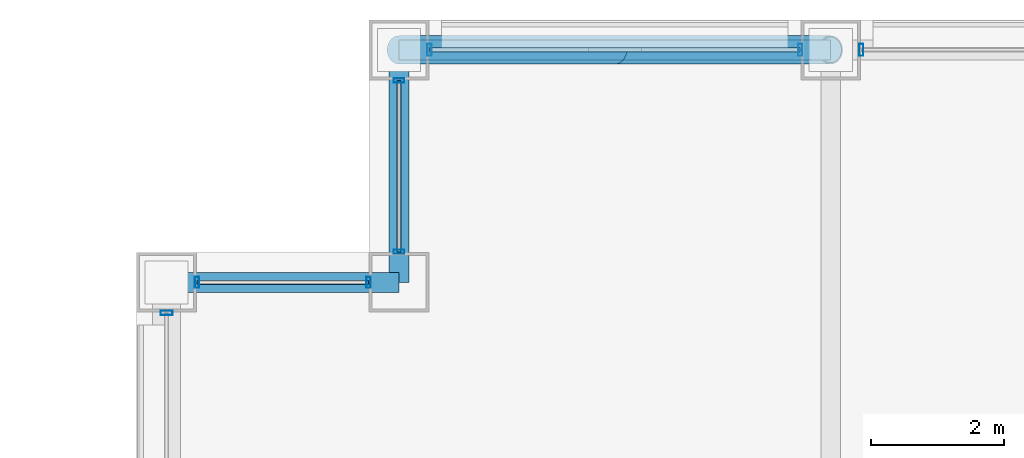
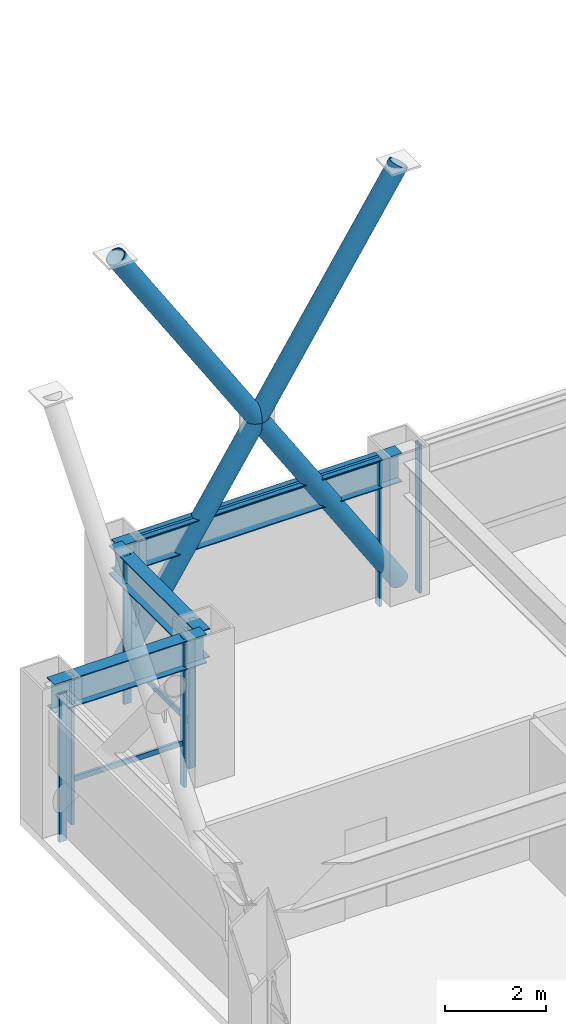
# One storey, part 16 of 30: 14 members, 3 beams, 5 elements without a shape of their own.
"""IFC4 building model written with IfcOpenShell, lengths in metres."""

import ifcopenshell
import ifcopenshell.guid

model = None  # the IFC model being written
_history = None  # IfcOwnerHistory: only IFC2X3 demands one
_inside = {}  # id of a spatial element -> (the spatial element, [elements in it])
_under = {}  # id of a project, library or spatial element -> (it, [spatial elements below it])
_declared = {}  # id of a project -> (the project, [libraries it declares])
_typed = {}  # id of a type object -> (the type object, [elements of that type])
_made_of = {}  # id of a material, layer set ... -> (it, [elements and type objects made of it])


def new_model(schema):
    """Start an empty IFC model of exactly this schema.

    Asked for "IFC4X3", IfcOpenShell would pick the latest addendum, in which some entities
    have other attributes; the version numbers below select the first issue.
    IFC2X3 requires an IfcOwnerHistory on every rooted entity: one is made here for all.
    """
    global model, _history
    if schema == "IFC4X3":
        model = ifcopenshell.file(schema_version=(4, 3, 0, 0))
    else:
        model = ifcopenshell.file(schema=schema)
    _inside.clear()
    _under.clear()
    _declared.clear()
    _typed.clear()
    _made_of.clear()
    _history = None
    if model.schema == "IFC2X3":
        org = make("IfcOrganization", Name="unknown")
        user = make(
            "IfcPersonAndOrganization",
            ThePerson=make("IfcPerson", FamilyName="unknown"),
            TheOrganization=org,
        )
        app = make(
            "IfcApplication",
            ApplicationDeveloper=org,
            Version="unknown",
            ApplicationFullName="unknown",
            ApplicationIdentifier="unknown",
        )
        _history = make(
            "IfcOwnerHistory",
            OwningUser=user,
            OwningApplication=app,
            ChangeAction="ADDED",
            CreationDate=0,
        )
    return model


def make(cls, **values):
    """One entity of the class cls with the attributes given. An attribute that is None is left unset."""
    return model.create_entity(
        cls, **{name: value for name, value in values.items() if value is not None}
    )


def rooted(cls, **values):
    """An entity with a GlobalId (a new one), such as an element, a storey or a relation."""
    return make(cls, GlobalId=ifcopenshell.guid.new(), OwnerHistory=_history, **values)


def si_unit(unit_type, name, prefix=None):
    """IfcSIUnit, for example si_unit("LENGTHUNIT", "METRE", prefix="MILLI")."""
    return make("IfcSIUnit", UnitType=unit_type, Prefix=prefix, Name=name)


def assignment(units):
    """IfcUnitAssignment: the units of a project."""
    return None if units is None else make("IfcUnitAssignment", Units=units)


def point(xyz):
    """IfcCartesianPoint."""
    return None if xyz is None else make("IfcCartesianPoint", Coordinates=xyz)


def direction(xyz):
    """IfcDirection."""
    return None if xyz is None else make("IfcDirection", DirectionRatios=xyz)


def frame(location, z_axis=None, x_axis=None):
    """IfcAxis2Placement3D, a coordinate frame: its origin and axes. An axis left out is left unset."""
    return make(
        "IfcAxis2Placement3D",
        Location=point(location),
        Axis=direction(z_axis),
        RefDirection=direction(x_axis),
    )


def frame_2d(location, x_axis=None):
    """IfcAxis2Placement2D, a coordinate frame in the plane: its origin and x axis."""
    return make(
        "IfcAxis2Placement2D", Location=point(location), RefDirection=direction(x_axis)
    )


def origin():
    """The frame at (0, 0, 0) with its axes left unset."""
    return frame((0.0, 0.0, 0.0))


def origin_2d():
    """The frame at (0, 0) in the plane with its x axis left unset."""
    return frame_2d((0.0, 0.0))


def place(relative_to, where):
    """IfcLocalPlacement: puts the frame where relative to a parent placement (None: the world)."""
    return make(
        "IfcLocalPlacement", PlacementRelTo=relative_to, RelativePlacement=where
    )


def context(
    kind, dimensions, precision=None, world=None, true_north=None, identifier=None
):
    """IfcGeometricRepresentationContext, for example the 3D "Model" context."""
    return make(
        "IfcGeometricRepresentationContext",
        ContextIdentifier=identifier,
        ContextType=kind,
        CoordinateSpaceDimension=dimensions,
        Precision=precision,
        WorldCoordinateSystem=world,
        TrueNorth=true_north,
    )


def subcontext(parent, identifier, kind, view, scale=None):
    """IfcGeometricRepresentationSubContext, for example "Body" below "Model"."""
    return make(
        "IfcGeometricRepresentationSubContext",
        ContextIdentifier=identifier,
        ContextType=kind,
        ParentContext=parent,
        TargetScale=scale,
        TargetView=view,
    )


def project(units=None, contexts=None):
    """IfcProject with its units and contexts."""
    return rooted(
        "IfcProject",
        Name="project",
        RepresentationContexts=contexts,
        UnitsInContext=assignment(units),
    )


def spatial(cls, under=None, at=None, **own):
    """A site, building, storey or space (cls), placed at a placement, below another one or the project."""
    s = rooted(cls, ObjectPlacement=at, **own)
    if under is not None:
        _under.setdefault(under.id(), (under, []))[1].append(s)
    return s


def profile(cls, at=None, kind="AREA", **sizes):
    """A parametric profile (cls). Its sizes go by their IFC names, for example OverallWidth=200.0."""
    return make(cls, ProfileType=kind, Position=at, **sizes)


def hollow_rectangle(**sizes):
    """IfcRectangleHollowProfileDef."""
    return profile("IfcRectangleHollowProfileDef", **sizes)


def hollow_circle(**sizes):
    """IfcCircleHollowProfileDef."""
    return profile("IfcCircleHollowProfileDef", **sizes)


def i_section(**sizes):
    """IfcIShapeProfileDef."""
    return profile("IfcIShapeProfileDef", **sizes)


def extrude(swept, where, along, depth):
    """IfcExtrudedAreaSolid: the profile swept, set in the frame where, extruded along a direction by depth."""
    return make(
        "IfcExtrudedAreaSolid",
        SweptArea=swept,
        Position=where,
        ExtrudedDirection=direction(along),
        Depth=depth,
    )


def shape(context_of_items, identifier, shape_type, items):
    """IfcShapeRepresentation: the items that make up one representation, for example the "Body"."""
    return make(
        "IfcShapeRepresentation",
        ContextOfItems=context_of_items,
        RepresentationIdentifier=identifier,
        RepresentationType=shape_type,
        Items=items,
    )


def material(Name=None, Category=None):
    """IfcMaterial."""
    return make("IfcMaterial", Name=Name, Category=Category)


def layer(
    of_material, thickness, ventilated=None, Name=None, Category=None, Priority=None
):
    """IfcMaterialLayer: one layer of a wall or slab, of a material (None: an air gap)."""
    return make(
        "IfcMaterialLayer",
        Material=of_material,
        LayerThickness=thickness,
        IsVentilated=ventilated,
        Name=Name,
        Category=Category,
        Priority=Priority,
    )


def layer_set(layers, Name=None):
    """IfcMaterialLayerSet."""
    return make("IfcMaterialLayerSet", MaterialLayers=layers, LayerSetName=Name)


def material_profile(
    of_material, cross_section, Name=None, Category=None, Priority=None
):
    """IfcMaterialProfile: a cross section and its material."""
    return make(
        "IfcMaterialProfile",
        Name=Name,
        Material=of_material,
        Profile=cross_section,
        Priority=Priority,
        Category=Category,
    )


def profile_set(profiles, Name=None, composite=None):
    """IfcMaterialProfileSet."""
    return make(
        "IfcMaterialProfileSet",
        Name=Name,
        MaterialProfiles=profiles,
        CompositeProfile=composite,
    )


def made_of(thing, what):
    """Note that an element or type object is made of a material, layer set ...; save() writes the relation."""
    if what is not None:
        _made_of.setdefault(what.id(), (what, []))[1].append(thing)
    return thing


def type_object(cls, material=None, **own):
    """A type object (cls), such as IfcWallType, which elements share."""
    return made_of(rooted(cls, **own), material)


def element(
    cls,
    number,
    at=None,
    inside=None,
    cuts=None,
    type_object=None,
    material=None,
    context=None,
    identifier="Body",
    shape_type=None,
    held_by="IfcProductDefinitionShape",
    body=None,
    shapes=None,
    **own,
):
    """One element of the class cls, such as IfcWall. Its Tag is "e" and its number.

    at: its placement. inside: the storey or other place that contains it. cuts: it is an
    opening in that element (IfcRelVoidsElement). A single representation is given by context,
    identifier, shape_type and body (its items); several are given by shapes. held_by: the class
    of the entity that holds the representations. save() writes the other relations.
    """
    e = rooted(cls, Tag="e%d" % number, ObjectPlacement=at, **own)
    if body is not None:
        shapes = [shape(context, identifier, shape_type, body)]
    if shapes is not None:
        e.Representation = make(held_by, Representations=shapes)
    if inside is not None:
        _inside.setdefault(inside.id(), (inside, []))[1].append(e)
    if cuts is not None:
        rooted(
            "IfcRelVoidsElement", RelatingBuildingElement=cuts, RelatedOpeningElement=e
        )
    if type_object is not None:
        _typed.setdefault(type_object.id(), (type_object, []))[1].append(e)
    return made_of(e, material)


def aggregate(whole, parts):
    """IfcRelAggregates: a whole, such as a stair, and the parts it consists of."""
    return rooted("IfcRelAggregates", RelatingObject=whole, RelatedObjects=parts)


def save(model, path):
    """Write the relations noted so far, then the file.

    IfcRelAggregates (storeys below a building ...), IfcRelContainedInSpatialStructure (elements
    in a storey), IfcRelDefinesByType, IfcRelAssociatesMaterial and IfcRelDeclares: one each for
    every whole, place, type object, material and project.
    """
    for whole, parts in _under.values():
        aggregate(whole, parts)
    for where, things in _inside.values():
        rooted(
            "IfcRelContainedInSpatialStructure",
            RelatedElements=things,
            RelatingStructure=where,
        )
    for kind, things in _typed.values():
        rooted("IfcRelDefinesByType", RelatedObjects=things, RelatingType=kind)
    for what, things in _made_of.values():
        rooted("IfcRelAssociatesMaterial", RelatedObjects=things, RelatingMaterial=what)
    for by, libraries in _declared.values():
        rooted("IfcRelDeclares", RelatingContext=by, RelatedDefinitions=libraries)
    model.write(path)


model = new_model("IFC4")

# Units and contexts
model_context = context("Model", 3, precision=1e-05, world=origin(), true_north=direction((0.0, 1.0)))
body_context = subcontext(model_context, "Body", "Model", "MODEL_VIEW")
ifc_project = project(units=[si_unit("LENGTHUNIT", "METRE"), si_unit("AREAUNIT", "SQUARE_METRE"), si_unit("VOLUMEUNIT", "CUBIC_METRE"), si_unit("PLANEANGLEUNIT", "RADIAN"), si_unit("MASSUNIT", "GRAM", prefix="KILO")], contexts=[model_context])

# Site, building, storey
site_placement = place(None, origin())
site = spatial("IfcSite", under=ifc_project, at=site_placement, CompositionType="ELEMENT")
building_placement = place(site_placement, origin())
building = spatial("IfcBuilding", under=site, at=building_placement, Name="Brelmoor Portico Tower", CompositionType="ELEMENT")
storey_placement = place(building_placement, frame((0.0, 0.0, 56.39990234375)))
storey = spatial("IfcBuildingStorey", under=building, at=storey_placement, Name="L14", CompositionType="ELEMENT", Elevation=56.39990234375)

# Beams
ifc_material_1 = material(Name="Steel Q355B", Category="steel")
ifc_material_profile_1 = material_profile(ifc_material_1, i_section(OverallWidth=0.300048828125, OverallDepth=0.699951171875, WebThickness=0.012939453125, FlangeThickness=0.02392578125, at=origin_2d()), Name="HN 700x300x13x24")
ifc_profile_set_1 = profile_set([ifc_material_profile_1], Name="Steel Q355B")
beam_type = type_object("IfcBeamType", Name="BM-SP-700", PredefinedType="SPANDREL", material=ifc_profile_set_1)
beam_1_placement = place(storey_placement, frame((-24.550048828125, 18.050048828125, 3.050048828125), z_axis=(1.0, 0.0, 0.0), x_axis=(0.0, 1.0, 0.0)))
element("IfcBeam", 1, at=beam_1_placement, inside=storey, type_object=beam_type, Name="L14 Perimeter Spandrel Beam SP-08", PredefinedType="SPANDREL", context=body_context, shape_type="SweptSolid", body=[
    extrude(i_section(OverallWidth=0.300048828125, OverallDepth=0.699951171875, WebThickness=0.012939453125, FlangeThickness=0.02392578125, at=origin_2d()), origin(), (0.0, 0.0, 1.0), 3.5),
])
beam_2_placement = place(storey_placement, frame((-21.050048828125, 21.550048828125, 3.050048828125), z_axis=(1.0, 0.0, 0.0), x_axis=(0.0, 1.0, 0.0)))
element("IfcBeam", 2, at=beam_2_placement, inside=storey, type_object=beam_type, Name="L14 Perimeter Spandrel Beam SP-10", PredefinedType="SPANDREL", context=body_context, shape_type="SweptSolid", body=[
    extrude(i_section(OverallWidth=0.300048828125, OverallDepth=0.699951171875, WebThickness=0.012939453125, FlangeThickness=0.02392578125, at=origin_2d()), origin(), (0.0, 0.0, 1.0), 6.5),
])
beam_3_placement = place(storey_placement, frame((-21.050048828125, 18.050048828125, 3.050048828125), z_axis=(0.0, 1.0, 0.0), x_axis=(-1.0, 0.0, 0.0)))
element("IfcBeam", 3, at=beam_3_placement, inside=storey, type_object=beam_type, Name="L14 Perimeter Spandrel Beam SP-19", PredefinedType="SPANDREL", context=body_context, shape_type="SweptSolid", body=[
    extrude(i_section(OverallWidth=0.300048828125, OverallDepth=0.699951171875, WebThickness=0.012939453125, FlangeThickness=0.02392578125, at=origin_2d()), origin(), (0.0, 0.0, 1.0), 3.5),
])

# Members
ifc_material_profile_2 = material_profile(ifc_material_1, hollow_circle(Radius=0.212890625, WallThickness=0.02001953125, at=origin_2d()), Name="CHS 426x20")
ifc_profile_set_2 = profile_set([ifc_material_profile_2], Name="Steel Q355B")
member_type_1 = type_object("IfcMemberType", Name="MB-BELT-DIAG1", PredefinedType="BRACE", material=ifc_profile_set_2)
member_1_placement = place(storey_placement, frame((-21.050048828125, 21.550048828125, 0.25), z_axis=(0.541174623135, 0.0, 0.840910237347), x_axis=(0.0, 1.0, 0.0)))
element("IfcMember", 4, at=member_1_placement, inside=storey, type_object=member_type_1, Name="L14 Continuous Mega-X Brace 027A", PredefinedType="BRACE", context=body_context, shape_type="SweptSolid", body=[
    extrude(hollow_circle(Radius=0.212890625, WallThickness=0.02001953125, at=origin_2d()), origin(), (0.0, 0.0, 1.0), 12.010986328125),
])
for number, where, z_axis, x_axis, name in (
    (5, (-14.550048828125, 21.550048828125, 0.25), (-0.541174623135, 0.0, 0.840910237347), (0.0, -1.0, 0.0), "L14 Split Mega-X Brace 027B1"),
    (6, (-17.800048828125, 21.550048828125, 5.300048828125), (-0.541174623135, 0.0, 0.840910237347), (0.0, -1.0, 0.0), "L14 Split Mega-X Brace 027B2"),
):
    element("IfcMember", number, at=place(storey_placement, frame(where, z_axis=z_axis, x_axis=x_axis)), inside=storey, type_object=member_type_1, Name=name, PredefinedType="BRACE", context=body_context, shape_type="SweptSolid", body=[
        extrude(hollow_circle(Radius=0.212890625, WallThickness=0.02001953125, at=origin_2d()), origin(), (0.0, 0.0, 1.0), 6.00537109375),
    ])

# Curtain wall, members
ifc_material_2 = material(Name="Anodised Aluminium Alloy 6063-T6", Category="aluminium")
ifc_layer_1 = layer(ifc_material_2, 0.179931640625)
ifc_layer_set_1 = layer_set([ifc_layer_1], Name="Anodised Aluminium Alloy 6063-T6")
curtain_wall_type_1 = type_object("IfcCurtainWallType", Name="CW-NOTCH-CHAMFER", PredefinedType="NOTDEFINED", material=ifc_layer_set_1)
curtain_wall_1_placement = place(storey_placement, origin())
curtain_wall_1 = element("IfcCurtainWall", 7, at=curtain_wall_1_placement, inside=storey, type_object=curtain_wall_type_1, Name="L14 Curtain Wall CWN-L14-NWH", PredefinedType="NOTDEFINED")
ifc_material_profile_3 = material_profile(ifc_material_2, hollow_rectangle(XDim=0.06494140625, YDim=0.1650390625, WallThickness=0.00390625, at=origin_2d()), Name="ALU MULLION 65x165")
ifc_profile_set_3 = profile_set([ifc_material_profile_3], Name="Anodised Aluminium Alloy 6063-T6")
member_type_2 = type_object("IfcMemberType", Name="MB-CW-MULL-165", PredefinedType="MULLION", material=ifc_profile_set_3)
member_2_placement = place(storey_placement, frame((-24.090087890625, 18.050048828125, -0.199951171875), z_axis=(0.0, 0.0, 1.0), x_axis=(1.0, 0.0, 0.0)))
member_2 = element("IfcMember", 8, at=member_2_placement, type_object=member_type_2, Name="CWN-L14-NWH Mullion 00", PredefinedType="MULLION", context=body_context, shape_type="SweptSolid", body=[
    extrude(hollow_rectangle(XDim=0.06494140625, YDim=0.1650390625, WallThickness=0.00390625, at=origin_2d()), origin(), (0.0, 0.0, 1.0), 3.60009765625),
])
member_3_placement = place(storey_placement, frame((-21.510009765625, 18.050048828125, -0.199951171875), z_axis=(0.0, 0.0, 1.0), x_axis=(1.0, 0.0, 0.0)))
member_3 = element("IfcMember", 9, at=member_3_placement, type_object=member_type_2, Name="CWN-L14-NWH Mullion 01", PredefinedType="MULLION", context=body_context, shape_type="SweptSolid", body=[
    extrude(hollow_rectangle(XDim=0.06494140625, YDim=0.1650390625, WallThickness=0.00390625, at=origin_2d()), origin(), (0.0, 0.0, 1.0), 3.60009765625),
])

curtain_wall_2_placement = place(storey_placement, origin())
curtain_wall_2 = element("IfcCurtainWall", 10, at=curtain_wall_2_placement, inside=storey, type_object=curtain_wall_type_1, Name="L14 Curtain Wall CWN-L14-NWV", PredefinedType="NOTDEFINED")
member_4_placement = place(storey_placement, frame((-21.050048828125, 18.510009765625, -0.199951171875), z_axis=(0.0, 0.0, 1.0), x_axis=(0.0, 1.0, 0.0)))
member_4 = element("IfcMember", 11, at=member_4_placement, type_object=member_type_2, Name="CWN-L14-NWV Mullion 00", PredefinedType="MULLION", context=body_context, shape_type="SweptSolid", body=[
    extrude(hollow_rectangle(XDim=0.06494140625, YDim=0.1650390625, WallThickness=0.00390625, at=origin_2d()), origin(), (0.0, 0.0, 1.0), 3.60009765625),
])
member_5_placement = place(storey_placement, frame((-21.050048828125, 21.090087890625, -0.199951171875), z_axis=(0.0, 0.0, 1.0), x_axis=(0.0, 1.0, 0.0)))
member_5 = element("IfcMember", 12, at=member_5_placement, type_object=member_type_2, Name="CWN-L14-NWV Mullion 01", PredefinedType="MULLION", context=body_context, shape_type="SweptSolid", body=[
    extrude(hollow_rectangle(XDim=0.06494140625, YDim=0.1650390625, WallThickness=0.00390625, at=origin_2d()), origin(), (0.0, 0.0, 1.0), 3.60009765625),
])

ifc_layer_2 = layer(ifc_material_2, 0.179931640625)
ifc_layer_set_2 = layer_set([ifc_layer_2], Name="Anodised Aluminium Alloy 6063-T6")
curtain_wall_type_2 = type_object("IfcCurtainWallType", Name="CW-TOWER-Z1-XB", PredefinedType="NOTDEFINED", material=ifc_layer_set_2)
curtain_wall_3_placement = place(storey_placement, origin())
curtain_wall_3 = element("IfcCurtainWall", 13, at=curtain_wall_3_placement, inside=storey, type_object=curtain_wall_type_2, Name="L14 Curtain Wall CW-L14-02-1", PredefinedType="NOTDEFINED")
ifc_material_profile_4 = material_profile(ifc_material_2, hollow_rectangle(XDim=0.06494140625, YDim=0.179931640625, WallThickness=0.00390625, at=origin_2d()), Name="ALU MULLION 65x180")
ifc_profile_set_4 = profile_set([ifc_material_profile_4], Name="Anodised Aluminium Alloy 6063-T6")
member_type_3 = type_object("IfcMemberType", Name="MB-CW-MULL-180", PredefinedType="MULLION", material=ifc_profile_set_4)
member_6_placement = place(storey_placement, frame((-20.590087890625, 21.550048828125, -0.199951171875), z_axis=(0.0, 0.0, 1.0), x_axis=(1.0, 0.0, 0.0)))
member_6 = element("IfcMember", 14, at=member_6_placement, type_object=member_type_3, Name="CW-L14-02-1 Mullion 00", PredefinedType="MULLION", context=body_context, shape_type="SweptSolid", body=[
    extrude(hollow_rectangle(XDim=0.06494140625, YDim=0.179931640625, WallThickness=0.00390625, at=origin_2d()), origin(), (0.0, 0.0, 1.0), 3.60009765625),
])
member_7_placement = place(storey_placement, frame((-15.010009765625, 21.550048828125, -0.199951171875), z_axis=(0.0, 0.0, 1.0), x_axis=(1.0, 0.0, 0.0)))
member_7 = element("IfcMember", 15, at=member_7_placement, type_object=member_type_3, Name="CW-L14-02-1 Mullion 01", PredefinedType="MULLION", context=body_context, shape_type="SweptSolid", body=[
    extrude(hollow_rectangle(XDim=0.06494140625, YDim=0.179931640625, WallThickness=0.00390625, at=origin_2d()), origin(), (0.0, 0.0, 1.0), 3.60009765625),
])

# Curtain wall, member
ifc_layer_3 = layer(ifc_material_2, 0.179931640625)
ifc_layer_set_3 = layer_set([ifc_layer_3], Name="Anodised Aluminium Alloy 6063-T6")
curtain_wall_type_3 = type_object("IfcCurtainWallType", Name="CW-TOWER-Z1", PredefinedType="NOTDEFINED", material=ifc_layer_set_3)
curtain_wall_4_placement = place(storey_placement, origin())
curtain_wall_4 = element("IfcCurtainWall", 16, at=curtain_wall_4_placement, inside=storey, type_object=curtain_wall_type_3, Name="L14 Curtain Wall CW-L14-02-2", PredefinedType="NOTDEFINED")
member_8_placement = place(storey_placement, frame((-14.090087890625, 21.550048828125, -0.199951171875), z_axis=(0.0, 0.0, 1.0), x_axis=(1.0, 0.0, 0.0)))
member_8 = element("IfcMember", 17, at=member_8_placement, type_object=member_type_3, Name="CW-L14-02-2 Mullion 00", PredefinedType="MULLION", context=body_context, shape_type="SweptSolid", body=[
    extrude(hollow_rectangle(XDim=0.06494140625, YDim=0.179931640625, WallThickness=0.00390625, at=origin_2d()), origin(), (0.0, 0.0, 1.0), 3.60009765625),
])
aggregate(curtain_wall_4, [member_8])

curtain_wall_5_placement = place(storey_placement, origin())
curtain_wall_5 = element("IfcCurtainWall", 18, at=curtain_wall_5_placement, inside=storey, type_object=curtain_wall_type_2, Name="L14 Curtain Wall CW-L14-3R-2", PredefinedType="NOTDEFINED")
member_9_placement = place(storey_placement, frame((-24.550048828125, 17.590087890625, -0.199951171875), z_axis=(0.0, 0.0, 1.0), x_axis=(0.0, 1.0, 0.0)))
member_9 = element("IfcMember", 19, at=member_9_placement, type_object=member_type_3, Name="CW-L14-3R-2 Mullion 01", PredefinedType="MULLION", context=body_context, shape_type="SweptSolid", body=[
    extrude(hollow_rectangle(XDim=0.06494140625, YDim=0.179931640625, WallThickness=0.00390625, at=origin_2d()), origin(), (0.0, 0.0, 1.0), 3.60009765625),
])
aggregate(curtain_wall_5, [member_9])

# Member
ifc_material_profile_5 = material_profile(ifc_material_2, hollow_rectangle(XDim=0.06005859375, YDim=0.125, WallThickness=0.00341796875, at=origin_2d()), Name="ALU TRANSOM 60x125")
ifc_profile_set_5 = profile_set([ifc_material_profile_5], Name="Anodised Aluminium Alloy 6063-T6")
member_type_4 = type_object("IfcMemberType", Name="MB-CW-TRAN-125", PredefinedType="USERDEFINED", material=ifc_profile_set_5)
member_10_placement = place(storey_placement, frame((-24.090087890625, 18.050048828125, 0.85009765625), z_axis=(1.0, 0.0, 0.0), x_axis=(0.0, 1.0, 0.0)))
member_10 = element("IfcMember", 20, at=member_10_placement, type_object=member_type_4, Name="CWN-L14-NWH Transom 1-00", ObjectType="TRANSOM", PredefinedType="USERDEFINED", context=body_context, shape_type="SweptSolid", body=[
    extrude(hollow_rectangle(XDim=0.06005859375, YDim=0.125, WallThickness=0.00341796875, at=origin_2d()), origin(), (0.0, 0.0, 1.0), 2.580078125),
])

aggregate(curtain_wall_1, [member_2, member_3, member_10])

member_11_placement = place(storey_placement, frame((-21.050048828125, 18.510009765625, 0.85009765625), z_axis=(0.0, 1.0, 0.0), x_axis=(-1.0, 0.0, 0.0)))
member_11 = element("IfcMember", 21, at=member_11_placement, type_object=member_type_4, Name="CWN-L14-NWV Transom 1-00", ObjectType="TRANSOM", PredefinedType="USERDEFINED", context=body_context, shape_type="SweptSolid", body=[
    extrude(hollow_rectangle(XDim=0.06005859375, YDim=0.125, WallThickness=0.00341796875, at=origin_2d()), origin(), (0.0, 0.0, 1.0), 2.580078125),
])

aggregate(curtain_wall_2, [member_4, member_5, member_11])

ifc_material_profile_6 = material_profile(ifc_material_2, hollow_rectangle(XDim=0.06494140625, YDim=0.139892578125, WallThickness=0.00390625, at=origin_2d()), Name="ALU TRANSOM 65x140")
ifc_profile_set_6 = profile_set([ifc_material_profile_6], Name="Anodised Aluminium Alloy 6063-T6")
member_type_5 = type_object("IfcMemberType", Name="MB-CW-TRAN-140", PredefinedType="USERDEFINED", material=ifc_profile_set_6)
member_12_placement = place(storey_placement, frame((-20.590087890625, 21.550048828125, 3.330078125), z_axis=(1.0, 0.0, 0.0), x_axis=(0.0, 1.0, 0.0)))
member_12 = element("IfcMember", 22, at=member_12_placement, type_object=member_type_5, Name="CW-L14-02-1 Transom 1-00", ObjectType="TRANSOM", PredefinedType="USERDEFINED", context=body_context, shape_type="SweptSolid", body=[
    extrude(hollow_rectangle(XDim=0.06494140625, YDim=0.139892578125, WallThickness=0.00390625, at=origin_2d()), origin(), (0.0, 0.0, 1.0), 5.580078125),
])

aggregate(curtain_wall_3, [member_6, member_7, member_12])

save(model, "model.ifc")
